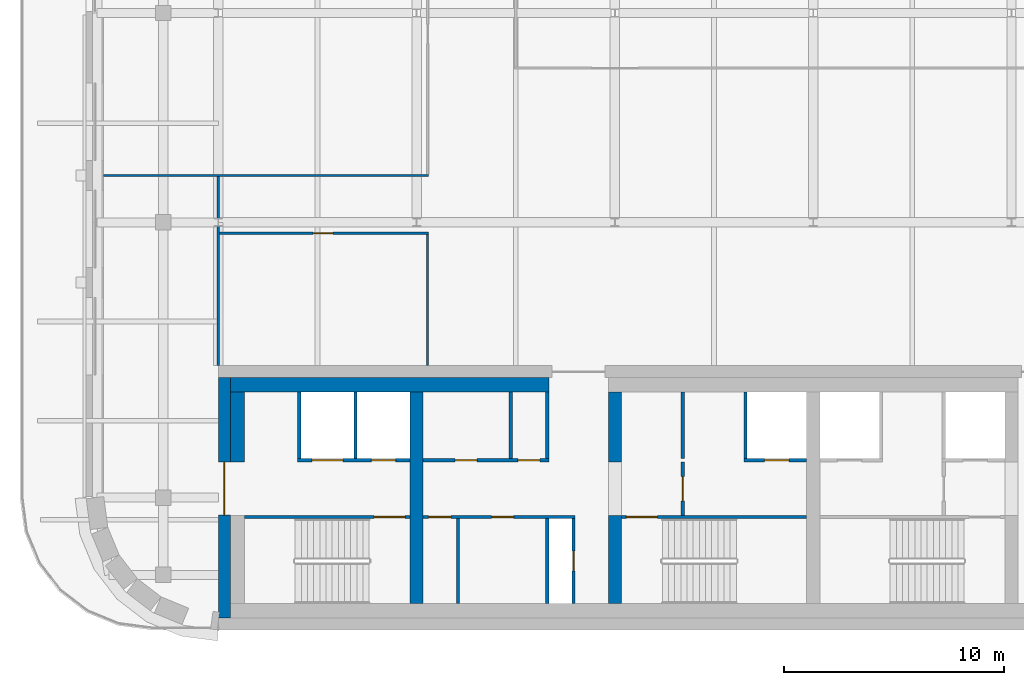
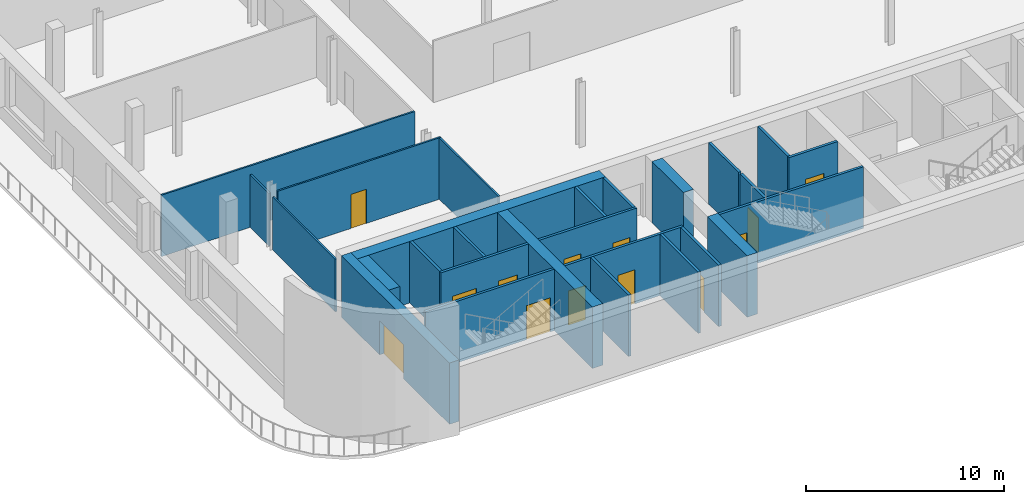
# One storey, part 7 of 15: 27 walls, 13 doors, 13 openings.
"""IFC4 building model written with IfcOpenShell, lengths in metres."""

from ifc_helpers import new_model, si_unit, direction, frame, frame_2d, origin, place, context, subcontext, project, spatial, rectangle, extrude, material, layer, layer_set, type_object, element, fill, save


model = new_model("IFC4")

# Units and contexts
model_context = context("Model", 3, precision=1e-05, world=origin(), true_north=direction((0.0, 1.0)))
body_context = subcontext(model_context, "Body", "Model", "MODEL_VIEW")
ifc_project = project(units=[si_unit("LENGTHUNIT", "METRE"), si_unit("AREAUNIT", "SQUARE_METRE"), si_unit("VOLUMEUNIT", "CUBIC_METRE"), si_unit("PLANEANGLEUNIT", "RADIAN"), si_unit("MASSUNIT", "GRAM", prefix="KILO")], contexts=[model_context])

# Site, building, storey
site_placement = place(None, origin())
site = spatial("IfcSite", under=ifc_project, at=site_placement, CompositionType="ELEMENT")
building_placement = place(site_placement, origin())
building = spatial("IfcBuilding", under=site, at=building_placement, Name="Zellij Exchange Tower", CompositionType="ELEMENT")
storey_placement = place(building_placement, frame((0.0, 0.0, 284.5)))
storey = spatial("IfcBuildingStorey", under=building, at=storey_placement, Name="L67", CompositionType="ELEMENT", Elevation=284.5)

# Walls
ifc_material_1 = material(Name="Concrete C50/60", Category="concrete")
ifc_layer_1 = layer(ifc_material_1, 0.60009765625)
ifc_layer_set_1 = layer_set([ifc_layer_1], Name="Concrete C50/60")
wall_type_1 = type_object("IfcWallType", Name="CORE-CW 600 C50/60", PredefinedType="SHEAR", material=ifc_layer_set_1)
wall_1_placement = place(storey_placement, frame((-18.0, -12.800048828125, 0.0), z_axis=(0.0, 0.0, 1.0), x_axis=(0.0, 1.0, 0.0)))
element("IfcWall", 1, at=wall_1_placement, inside=storey, type_object=wall_type_1, Name="Core cross wall x -18 L67", PredefinedType="SHEAR", context=body_context, shape_type="SweptSolid", body=[
    extrude(rectangle(XDim=9.60009765625, YDim=0.60009765625, at=frame_2d((4.800048828125, 0.0))), origin(), (0.0, 0.0, 1.0), 3.780029296875),
])
wall_2_placement = place(storey_placement, frame((-9.0, -12.800048828125, 0.0), z_axis=(0.0, 0.0, 1.0), x_axis=(0.0, 1.0, 0.0)))
element("IfcWall", 2, at=wall_2_placement, inside=storey, type_object=wall_type_1, Name="Core cross wall pier x -9 a L67", PredefinedType="SHEAR", context=body_context, shape_type="SweptSolid", body=[
    extrude(rectangle(XDim=4.0, YDim=0.60009765625, at=frame_2d((2.0, 0.0))), origin(), (0.0, 0.0, 1.0), 3.780029296875),
])
wall_3_placement = place(storey_placement, frame((-9.0, -6.375, 0.0), z_axis=(0.0, 0.0, 1.0), x_axis=(0.0, 1.0, 0.0)))
element("IfcWall", 3, at=wall_3_placement, inside=storey, type_object=wall_type_1, Name="Core cross wall pier x -9 b L67", PredefinedType="SHEAR", context=body_context, shape_type="SweptSolid", body=[
    extrude(rectangle(XDim=3.175048828125, YDim=0.60009765625, at=frame_2d((1.58740234375, 0.0))), origin(), (0.0, 0.0, 1.0), 3.780029296875),
])
ifc_material_2 = material(Name="Concrete C30/37", Category="concrete")
ifc_layer_2 = layer(ifc_material_2, 0.64990234375)
ifc_layer_set_2 = layer_set([ifc_layer_2], Name="Concrete C30/37")
wall_type_2 = type_object("IfcWallType", Name="CORE-LW 650 C30/37", PredefinedType="SHEAR", material=ifc_layer_set_2)
wall_4_placement = place(storey_placement, frame((-26.449951171875, -2.875, 0.0), z_axis=(0.0, 0.0, 1.0), x_axis=(1.0, 0.0, 0.0)))
element("IfcWall", 4, at=wall_4_placement, inside=storey, type_object=wall_type_2, Name="Core wall lining front.0 L67", PredefinedType="SHEAR", context=body_context, shape_type="SweptSolid", body=[
    extrude(rectangle(XDim=14.449951171875, YDim=0.64990234375, at=frame_2d((7.22509765625, 0.0))), origin(), (0.0, 0.0, 1.0), 3.780029296875),
])
wall_5_placement = place(storey_placement, frame((-26.125, -6.375, 0.0), z_axis=(0.0, 0.0, 1.0), x_axis=(0.0, 1.0, 0.0)))
element("IfcWall", 5, at=wall_5_placement, inside=storey, type_object=wall_type_2, Name="Core wall lining end w.1 L67", PredefinedType="SHEAR", context=body_context, shape_type="SweptSolid", body=[
    extrude(rectangle(XDim=3.175048828125, YDim=0.64990234375, at=frame_2d((1.58740234375, 0.0))), origin(), (0.0, 0.0, 1.0), 3.780029296875),
])

# Wall, opening, door
ifc_material_3 = material(Name="Gypsum shaft wall system")
ifc_layer_3 = layer(ifc_material_3, 0.14990234375)
ifc_layer_set_3 = layer_set([ifc_layer_3], Name="Gypsum shaft wall system")
wall_type_3 = type_object("IfcWallType", Name="CORE-PW 150 Firefighting lobby wall", PredefinedType="PARTITIONING", material=ifc_layer_set_3)
wall_6_placement = place(storey_placement, frame((-5.925048828125, -8.800048828125, 0.0), z_axis=(0.0, 0.0, 1.0), x_axis=(0.0, 1.0, 0.0)))
wall_6 = element("IfcWall", 6, at=wall_6_placement, inside=storey, type_object=wall_type_3, Name="Firefighting lobby wall L67", PredefinedType="PARTITIONING", context=body_context, shape_type="SweptSolid", body=[
    extrude(rectangle(XDim=2.425048828125, YDim=0.14990234375, at=frame_2d((1.21240234375, 0.0))), origin(), (0.0, 0.0, 1.0), 3.780029296875),
])
opening_1_placement = place(wall_6_placement, frame((0.662109375, 0.0, 0.0)))
opening_1 = element("IfcOpeningElement", 7, at=opening_1_placement, cuts=wall_6, Name="Opening CA-35.12", PredefinedType="OPENING", context=body_context, shape_type="SweptSolid", body=[
    extrude(rectangle(XDim=1.10009765625, YDim=2.10009765625, at=frame_2d((0.550048828125, 1.050048828125))), frame((0.0, 0.0869140625, 0.0), z_axis=(0.0, -1.0, 0.0), x_axis=(1.0, 0.0, 0.0)), (0.0, 0.0, 1.0), 0.173828125),
])
ifc_material_4 = material(Name="Hollow metal fire door")
door_type_1 = type_object("IfcDoorType", Name="CORE-D F Firefighting lobby door 1100x2100 1 HR", OperationType="NOTDEFINED", PredefinedType="DOOR", material=ifc_material_4)
door_1_placement = place(opening_1_placement, origin())
door_1 = element("IfcDoor", 8, at=door_1_placement, inside=storey, type_object=door_type_1, Name="Firefighting lobby door CA-35.12", OperationType="SINGLE_SWING_LEFT", OverallHeight=2.10009765625, OverallWidth=1.10009765625, PredefinedType="DOOR", context=body_context, shape_type="SweptSolid", body=[
    extrude(rectangle(XDim=1.10009765625, YDim=2.10009765625, at=frame_2d((0.550048828125, 1.050048828125))), frame((0.0, 0.02490234375, 0.0), z_axis=(0.0, -1.0, 0.0), x_axis=(1.0, 0.0, 0.0)), (0.0, 0.0, 1.0), 0.050048828125),
])
fill(opening_1, door_1)

# Walls
ifc_material_5 = material(Name="Gypsum board partition")
ifc_layer_4 = layer(ifc_material_5, 0.14990234375)
ifc_layer_set_4 = layer_set([ifc_layer_4], Name="Gypsum board partition")
wall_type_4 = type_object("IfcWallType", Name="CORE-PW 150 Lift lobby wall", PredefinedType="PARTITIONING", material=ifc_layer_set_4)
for number, where, z_axis, x_axis, name in (
    (9, (-12.074951171875, -6.22509765625, 0.0), (0.0, 0.0, 1.0), (0.0, 1.0, 0.0), "Lift lobby wall L67"),
    (10, (-13.72509765625, -6.22509765625, 0.0), (0.0, 0.0, 1.0), (0.0, 1.0, 0.0), "Lift lobby wall L67"),
    (11, (-5.925048828125, -6.22509765625, 0.0), (0.0, 0.0, 1.0), (0.0, 1.0, 0.0), "Lift lobby wall L67"),
):
    element("IfcWall", number, at=place(storey_placement, frame(where, z_axis=z_axis, x_axis=x_axis)), inside=storey, type_object=wall_type_4, Name=name, PredefinedType="PARTITIONING", context=body_context, shape_type="SweptSolid", body=[
        extrude(rectangle(XDim=3.025146484375, YDim=0.14990234375, at=frame_2d((1.5126953125, 0.0))), origin(), (0.0, 0.0, 1.0), 3.780029296875),
    ])

# Wall, opening, door
wall_7_placement = place(storey_placement, frame((-10.875, -12.800048828125, 0.0), z_axis=(0.0, 0.0, 1.0), x_axis=(0.0, 1.0, 0.0)))
wall_7 = element("IfcWall", 12, at=wall_7_placement, inside=storey, type_object=wall_type_4, Name="Lift lobby wall L67", PredefinedType="PARTITIONING", context=body_context, shape_type="SweptSolid", body=[
    extrude(rectangle(XDim=3.85009765625, YDim=0.14990234375, at=frame_2d((1.925048828125, 0.0))), origin(), (0.0, 0.0, 1.0), 3.780029296875),
])
opening_2_placement = place(wall_7_placement, frame((1.47509765625, 0.0, 0.0)))
opening_2 = element("IfcOpeningElement", 13, at=opening_2_placement, cuts=wall_7, Name="Opening CA-35.09", PredefinedType="OPENING", context=body_context, shape_type="SweptSolid", body=[
    extrude(rectangle(XDim=0.89990234375, YDim=2.10009765625, at=frame_2d((0.449951171875, 1.050048828125))), frame((0.0, 0.0869140625, 0.0), z_axis=(0.0, -1.0, 0.0), x_axis=(1.0, 0.0, 0.0)), (0.0, 0.0, 1.0), 0.173828125),
])
door_type_2 = type_object("IfcDoorType", Name="CORE-D RD Riser door 900x2100 1.5 HR", OperationType="NOTDEFINED", PredefinedType="DOOR", material=ifc_material_4)
door_2_placement = place(opening_2_placement, origin())
door_2 = element("IfcDoor", 14, at=door_2_placement, inside=storey, type_object=door_type_2, Name="Riser door CA-35.09", OperationType="SINGLE_SWING_RIGHT", OverallHeight=2.10009765625, OverallWidth=0.89990234375, PredefinedType="DOOR", context=body_context, shape_type="SweptSolid", body=[
    extrude(rectangle(XDim=0.89990234375, YDim=2.10009765625, at=frame_2d((0.449951171875, 1.050048828125))), frame((0.0, 0.02490234375, 0.0), z_axis=(0.0, -1.0, 0.0), x_axis=(1.0, 0.0, 0.0)), (0.0, 0.0, 1.0), 0.050048828125),
])
fill(opening_2, door_2)

# Walls
for number, where, z_axis, x_axis, name in (
    (15, (-12.074951171875, -12.800048828125, 0.0), (0.0, 0.0, 1.0), (0.0, 1.0, 0.0), "Lift lobby wall L67"),
    (16, (-16.125, -12.800048828125, 0.0), (0.0, 0.0, 1.0), (0.0, 1.0, 0.0), "Lift lobby wall L67"),
):
    element("IfcWall", number, at=place(storey_placement, frame(where, z_axis=z_axis, x_axis=x_axis)), inside=storey, type_object=wall_type_4, Name=name, PredefinedType="PARTITIONING", context=body_context, shape_type="SweptSolid", body=[
        extrude(rectangle(XDim=3.85009765625, YDim=0.14990234375, at=frame_2d((1.925048828125, 0.0))), origin(), (0.0, 0.0, 1.0), 3.780029296875),
    ])

# Wall, openings, doors
wall_8_placement = place(storey_placement, frame((-17.699951171875, -6.300048828125, 0.0), z_axis=(0.0, 0.0, 1.0), x_axis=(1.0, 0.0, 0.0)))
wall_8 = element("IfcWall", 17, at=wall_8_placement, inside=storey, type_object=wall_type_4, Name="Lift lobby wall L67", PredefinedType="PARTITIONING", context=body_context, shape_type="SweptSolid", body=[
    extrude(rectangle(XDim=5.699951171875, YDim=0.14990234375, at=frame_2d((2.85009765625, 0.0))), origin(), (0.0, 0.0, 1.0), 3.780029296875),
])
opening_3_placement = place(wall_8_placement, frame((1.449951171875, 0.0, 0.0)))
opening_3 = element("IfcOpeningElement", 18, at=opening_3_placement, cuts=wall_8, Name="Opening CA-35.06", PredefinedType="OPENING", context=body_context, shape_type="SweptSolid", body=[
    extrude(rectangle(XDim=1.0, YDim=2.10009765625, at=frame_2d((0.5, 1.050048828125))), frame((0.0, 0.0869140625, 0.0), z_axis=(0.0, -1.0, 0.0), x_axis=(1.0, 0.0, 0.0)), (0.0, 0.0, 1.0), 0.173828125),
])
opening_4_placement = place(wall_8_placement, frame((4.300048828125, 0.0, 0.0)))
opening_4 = element("IfcOpeningElement", 19, at=opening_4_placement, cuts=wall_8, Name="Opening CA-35.08", PredefinedType="OPENING", context=body_context, shape_type="SweptSolid", body=[
    extrude(rectangle(XDim=1.0, YDim=2.10009765625, at=frame_2d((0.5, 1.050048828125))), frame((0.0, 0.0869140625, 0.0), z_axis=(0.0, -1.0, 0.0), x_axis=(1.0, 0.0, 0.0)), (0.0, 0.0, 1.0), 0.173828125),
])
door_type_3 = type_object("IfcDoorType", Name="CORE-D CD Core room door 1000x2100 1 HR", OperationType="NOTDEFINED", PredefinedType="DOOR", material=ifc_material_4)
door_3_placement = place(opening_3_placement, origin())
door_3 = element("IfcDoor", 20, at=door_3_placement, inside=storey, type_object=door_type_3, Name="Core room door CA-35.06", OperationType="SINGLE_SWING_LEFT", OverallHeight=2.10009765625, OverallWidth=1.0, PredefinedType="DOOR", context=body_context, shape_type="SweptSolid", body=[
    extrude(rectangle(XDim=1.0, YDim=2.10009765625, at=frame_2d((0.5, 1.050048828125))), frame((0.0, 0.02490234375, 0.0), z_axis=(0.0, -1.0, 0.0), x_axis=(1.0, 0.0, 0.0)), (0.0, 0.0, 1.0), 0.050048828125),
])
fill(opening_3, door_3)
door_4_placement = place(opening_4_placement, origin())
door_4 = element("IfcDoor", 21, at=door_4_placement, inside=storey, type_object=door_type_3, Name="Core room door CA-35.08", OperationType="SINGLE_SWING_RIGHT", OverallHeight=2.10009765625, OverallWidth=1.0, PredefinedType="DOOR", context=body_context, shape_type="SweptSolid", body=[
    extrude(rectangle(XDim=1.0, YDim=2.10009765625, at=frame_2d((0.5, 1.050048828125))), frame((0.0, 0.02490234375, 0.0), z_axis=(0.0, -1.0, 0.0), x_axis=(1.0, 0.0, 0.0)), (0.0, 0.0, 1.0), 0.050048828125),
])
fill(opening_4, door_4)

wall_9_placement = place(storey_placement, frame((-17.699951171875, -8.875, 0.0), z_axis=(0.0, 0.0, 1.0), x_axis=(1.0, 0.0, 0.0)))
wall_9 = element("IfcWall", 22, at=wall_9_placement, inside=storey, type_object=wall_type_4, Name="Lift lobby wall L67", PredefinedType="PARTITIONING", context=body_context, shape_type="SweptSolid", body=[
    extrude(rectangle(XDim=6.89990234375, YDim=0.14990234375, at=frame_2d((3.449951171875, 0.0))), origin(), (0.0, 0.0, 1.0), 3.780029296875),
])
opening_5_placement = place(wall_9_placement, frame((0.25, 0.0, 0.0)))
opening_5 = element("IfcOpeningElement", 23, at=opening_5_placement, cuts=wall_9, Name="Opening CA-35.05", PredefinedType="OPENING", context=body_context, shape_type="SweptSolid", body=[
    extrude(rectangle(XDim=1.0, YDim=2.10009765625, at=frame_2d((0.5, 1.050048828125))), frame((0.0, 0.0869140625, 0.0), z_axis=(0.0, -1.0, 0.0), x_axis=(1.0, 0.0, 0.0)), (0.0, 0.0, 1.0), 0.173828125),
])
opening_6_placement = place(wall_9_placement, frame((3.10009765625, 0.0, 0.0)))
opening_6 = element("IfcOpeningElement", 24, at=opening_6_placement, cuts=wall_9, Name="Opening CA-35.07", PredefinedType="OPENING", context=body_context, shape_type="SweptSolid", body=[
    extrude(rectangle(XDim=1.0, YDim=2.10009765625, at=frame_2d((0.5, 1.050048828125))), frame((0.0, 0.0869140625, 0.0), z_axis=(0.0, -1.0, 0.0), x_axis=(1.0, 0.0, 0.0)), (0.0, 0.0, 1.0), 0.173828125),
])
door_5_placement = place(opening_5_placement, origin())
door_5 = element("IfcDoor", 25, at=door_5_placement, inside=storey, type_object=door_type_3, Name="Core room door CA-35.05", OperationType="SINGLE_SWING_RIGHT", OverallHeight=2.10009765625, OverallWidth=1.0, PredefinedType="DOOR", context=body_context, shape_type="SweptSolid", body=[
    extrude(rectangle(XDim=1.0, YDim=2.10009765625, at=frame_2d((0.5, 1.050048828125))), frame((0.0, 0.02490234375, 0.0), z_axis=(0.0, -1.0, 0.0), x_axis=(1.0, 0.0, 0.0)), (0.0, 0.0, 1.0), 0.050048828125),
])
fill(opening_5, door_5)
door_6_placement = place(opening_6_placement, origin())
door_6 = element("IfcDoor", 26, at=door_6_placement, inside=storey, type_object=door_type_3, Name="Core room door CA-35.07", OperationType="SINGLE_SWING_LEFT", OverallHeight=2.10009765625, OverallWidth=1.0, PredefinedType="DOOR", context=body_context, shape_type="SweptSolid", body=[
    extrude(rectangle(XDim=1.0, YDim=2.10009765625, at=frame_2d((0.5, 1.050048828125))), frame((0.0, 0.02490234375, 0.0), z_axis=(0.0, -1.0, 0.0), x_axis=(1.0, 0.0, 0.0)), (0.0, 0.0, 1.0), 0.050048828125),
])
fill(opening_6, door_6)

# Walls
ifc_layer_5 = layer(ifc_material_3, 0.14990234375)
ifc_layer_set_5 = layer_set([ifc_layer_5], Name="Gypsum shaft wall system")
wall_type_5 = type_object("IfcWallType", Name="CORE-PW 150 Lift shaft wall", PredefinedType="PARTITIONING", material=ifc_layer_set_5)
for number, where, z_axis, x_axis, name in (
    (27, (-20.77490234375, -6.22509765625, 0.0), (0.0, 0.0, 1.0), (0.0, 1.0, 0.0), "Lift shaft wall L67"),
    (28, (-23.324951171875, -6.22509765625, 0.0), (0.0, 0.0, 1.0), (0.0, 1.0, 0.0), "Lift shaft wall L67"),
    (29, (-3.074951171875, -6.22509765625, 0.0), (0.0, 0.0, 1.0), (0.0, 1.0, 0.0), "Lift shaft wall L67"),
):
    element("IfcWall", number, at=place(storey_placement, frame(where, z_axis=z_axis, x_axis=x_axis)), inside=storey, type_object=wall_type_5, Name=name, PredefinedType="PARTITIONING", context=body_context, shape_type="SweptSolid", body=[
        extrude(rectangle(XDim=3.025146484375, YDim=0.14990234375, at=frame_2d((1.5126953125, 0.0))), origin(), (0.0, 0.0, 1.0), 3.780029296875),
    ])

# Wall, openings, doors
wall_10_placement = place(storey_placement, frame((-23.39990234375, -6.300048828125, 0.0), z_axis=(0.0, 0.0, 1.0), x_axis=(1.0, 0.0, 0.0)))
wall_10 = element("IfcWall", 30, at=wall_10_placement, inside=storey, type_object=wall_type_5, Name="Lift shaft wall L67", PredefinedType="PARTITIONING", context=body_context, shape_type="SweptSolid", body=[
    extrude(rectangle(XDim=5.099853515625, YDim=0.14990234375, at=frame_2d((2.5498046875, 0.0))), origin(), (0.0, 0.0, 1.0), 3.780029296875),
])
opening_7_placement = place(wall_10_placement, frame((0.64990234375, 0.0, 0.0)))
opening_7 = element("IfcOpeningElement", 31, at=opening_7_placement, cuts=wall_10, Name="Opening CA-35.02", PredefinedType="OPENING", context=body_context, shape_type="SweptSolid", body=[
    extrude(rectangle(XDim=1.39990234375, YDim=2.10009765625, at=frame_2d((0.699951171875, 1.050048828125))), frame((0.0, 0.0869140625, 0.0), z_axis=(0.0, -1.0, 0.0), x_axis=(1.0, 0.0, 0.0)), (0.0, 0.0, 1.0), 0.173828125),
])
opening_8_placement = place(wall_10_placement, frame((3.35009765625, 0.0, 0.0)))
opening_8 = element("IfcOpeningElement", 32, at=opening_8_placement, cuts=wall_10, Name="Opening CA-35.03", PredefinedType="OPENING", context=body_context, shape_type="SweptSolid", body=[
    extrude(rectangle(XDim=1.10009765625, YDim=2.10009765625, at=frame_2d((0.550048828125, 1.050048828125))), frame((0.0, 0.0869140625, 0.0), z_axis=(0.0, -1.0, 0.0), x_axis=(1.0, 0.0, 0.0)), (0.0, 0.0, 1.0), 0.173828125),
])
door_type_4 = type_object("IfcDoorType", Name="CORE-D LD Lift landing door 1100x2100 1.5 HR", OperationType="NOTDEFINED", PredefinedType="DOOR", material=ifc_material_4)
door_7_placement = place(opening_8_placement, origin())
door_7 = element("IfcDoor", 33, at=door_7_placement, inside=storey, type_object=door_type_4, Name="Lift landing door CA-35.03", OperationType="SLIDING_TO_LEFT", OverallHeight=2.10009765625, OverallWidth=1.10009765625, PredefinedType="DOOR", context=body_context, shape_type="SweptSolid", body=[
    extrude(rectangle(XDim=1.10009765625, YDim=2.10009765625, at=frame_2d((0.550048828125, 1.050048828125))), frame((0.0, 0.02490234375, 0.0), z_axis=(0.0, -1.0, 0.0), x_axis=(1.0, 0.0, 0.0)), (0.0, 0.0, 1.0), 0.050048828125),
])
fill(opening_8, door_7)
door_type_5 = type_object("IfcDoorType", Name="CORE-D LD2 Service lift landing door 1400x2100 1.5 HR", OperationType="NOTDEFINED", PredefinedType="DOOR", material=ifc_material_4)
door_8_placement = place(opening_7_placement, origin())
door_8 = element("IfcDoor", 34, at=door_8_placement, inside=storey, type_object=door_type_5, Name="Service lift landing door CA-35.02", OperationType="SLIDING_TO_RIGHT", OverallHeight=2.10009765625, OverallWidth=1.39990234375, PredefinedType="DOOR", context=body_context, shape_type="SweptSolid", body=[
    extrude(rectangle(XDim=1.39990234375, YDim=2.10009765625, at=frame_2d((0.699951171875, 1.050048828125))), frame((0.0, 0.02490234375, 0.0), z_axis=(0.0, -1.0, 0.0), x_axis=(1.0, 0.0, 0.0)), (0.0, 0.0, 1.0), 0.050048828125),
])
fill(opening_7, door_8)

# Wall, opening, door
wall_11_placement = place(storey_placement, frame((-3.14990234375, -6.300048828125, 0.0), z_axis=(0.0, 0.0, 1.0), x_axis=(1.0, 0.0, 0.0)))
wall_11 = element("IfcWall", 35, at=wall_11_placement, inside=storey, type_object=wall_type_5, Name="Lift shaft wall L67", PredefinedType="PARTITIONING", context=body_context, shape_type="SweptSolid", body=[
    extrude(rectangle(XDim=2.849853515625, YDim=0.14990234375, at=frame_2d((1.4248046875, 0.0))), origin(), (0.0, 0.0, 1.0), 3.780029296875),
])
opening_9_placement = place(wall_11_placement, frame((0.949951171875, 0.0, 0.0)))
opening_9 = element("IfcOpeningElement", 36, at=opening_9_placement, cuts=wall_11, Name="Opening CA-35.13", PredefinedType="OPENING", context=body_context, shape_type="SweptSolid", body=[
    extrude(rectangle(XDim=1.10009765625, YDim=2.10009765625, at=frame_2d((0.550048828125, 1.050048828125))), frame((0.0, 0.0869140625, 0.0), z_axis=(0.0, -1.0, 0.0), x_axis=(1.0, 0.0, 0.0)), (0.0, 0.0, 1.0), 0.173828125),
])
door_9_placement = place(opening_9_placement, origin())
door_9 = element("IfcDoor", 37, at=door_9_placement, inside=storey, type_object=door_type_4, Name="Lift landing door CA-35.13", OperationType="SLIDING_TO_LEFT", OverallHeight=2.10009765625, OverallWidth=1.10009765625, PredefinedType="DOOR", context=body_context, shape_type="SweptSolid", body=[
    extrude(rectangle(XDim=1.10009765625, YDim=2.10009765625, at=frame_2d((0.550048828125, 1.050048828125))), frame((0.0, 0.02490234375, 0.0), z_axis=(0.0, -1.0, 0.0), x_axis=(1.0, 0.0, 0.0)), (0.0, 0.0, 1.0), 0.050048828125),
])
fill(opening_9, door_9)

ifc_layer_6 = layer(ifc_material_1, 0.550048828125)
ifc_layer_set_6 = layer_set([ifc_layer_6], Name="Concrete C50/60")
wall_type_6 = type_object("IfcWallType", Name="CORE-SW 550 C50/60", PredefinedType="SHEAR", material=ifc_layer_set_6)
wall_12_placement = place(storey_placement, frame((-26.72509765625, -13.449951171875, 0.0), z_axis=(0.0, 0.0, 1.0), x_axis=(0.0, 1.0, 0.0)))
wall_12 = element("IfcWall", 38, at=wall_12_placement, inside=storey, type_object=wall_type_6, Name="Core shear wall end w L67", PredefinedType="SHEAR", context=body_context, shape_type="SweptSolid", body=[
    extrude(rectangle(XDim=10.89990234375, YDim=0.550048828125, at=frame_2d((5.449951171875, 0.0))), origin(), (0.0, 0.0, 1.0), 3.780029296875),
])
opening_10_placement = place(wall_12_placement, frame((4.662109375, 0.0, 0.0)))
opening_10 = element("IfcOpeningElement", 39, at=opening_10_placement, cuts=wall_12, Name="Opening CA-35.01", PredefinedType="OPENING", context=body_context, shape_type="SweptSolid", body=[
    extrude(rectangle(XDim=2.39990234375, YDim=2.10009765625, at=frame_2d((1.199951171875, 1.050048828125))), frame((0.0, 0.287109375, 0.0), z_axis=(0.0, -1.0, 0.0), x_axis=(1.0, 0.0, 0.0)), (0.0, 0.0, 1.0), 0.573974609375),
])
door_type_6 = type_object("IfcDoorType", Name="CORE-D CE Core entrance door 2400x2100 20 MIN", OperationType="NOTDEFINED", PredefinedType="DOOR", material=ifc_material_4)
door_10_placement = place(opening_10_placement, origin())
door_10 = element("IfcDoor", 40, at=door_10_placement, inside=storey, type_object=door_type_6, Name="Core entrance door CA-35.01", OperationType="DOUBLE_DOOR_SINGLE_SWING", OverallHeight=2.10009765625, OverallWidth=2.39990234375, PredefinedType="DOOR", context=body_context, shape_type="SweptSolid", body=[
    extrude(rectangle(XDim=2.39990234375, YDim=2.10009765625, at=frame_2d((1.199951171875, 1.050048828125))), frame((0.0, 0.02490234375, 0.0), z_axis=(0.0, -1.0, 0.0), x_axis=(1.0, 0.0, 0.0)), (0.0, 0.0, 1.0), 0.050048828125),
])
fill(opening_10, door_10)

ifc_layer_7 = layer(ifc_material_1, 0.14990234375)
ifc_layer_set_7 = layer_set([ifc_layer_7], Name="Concrete C50/60")
wall_type_7 = type_object("IfcWallType", Name="CORE-SWS 150 C50/60", PredefinedType="SHEAR", material=ifc_layer_set_7)
wall_13_placement = place(storey_placement, frame((-25.800048828125, -8.875, 0.0), z_axis=(0.0, 0.0, 1.0), x_axis=(1.0, 0.0, 0.0)))
wall_13 = element("IfcWall", 41, at=wall_13_placement, inside=storey, type_object=wall_type_7, Name="Stair enclosure wall L67", PredefinedType="SHEAR", context=body_context, shape_type="SweptSolid", body=[
    extrude(rectangle(XDim=7.5, YDim=0.14990234375, at=frame_2d((3.75, 0.0))), origin(), (0.0, 0.0, 1.0), 3.780029296875),
])
opening_11_placement = place(wall_13_placement, frame((5.875, 0.0, 0.0)))
opening_11 = element("IfcOpeningElement", 42, at=opening_11_placement, cuts=wall_13, Name="Opening CA-35.04", PredefinedType="OPENING", context=body_context, shape_type="SweptSolid", body=[
    extrude(rectangle(XDim=1.39990234375, YDim=2.10009765625, at=frame_2d((0.699951171875, 1.050048828125))), frame((0.0, 0.0869140625, 0.0), z_axis=(0.0, -1.0, 0.0), x_axis=(1.0, 0.0, 0.0)), (0.0, 0.0, 1.0), 0.173828125),
])
door_type_7 = type_object("IfcDoorType", Name="CORE-D SD Stair door 1400x2100 1.5 HR", OperationType="NOTDEFINED", PredefinedType="DOOR", material=ifc_material_4)
door_11_placement = place(opening_11_placement, origin())
door_11 = element("IfcDoor", 43, at=door_11_placement, inside=storey, type_object=door_type_7, Name="Stair door CA-35.04", OperationType="DOUBLE_DOOR_SINGLE_SWING", OverallHeight=2.10009765625, OverallWidth=1.39990234375, PredefinedType="DOOR", context=body_context, shape_type="SweptSolid", body=[
    extrude(rectangle(XDim=1.39990234375, YDim=2.10009765625, at=frame_2d((0.699951171875, 1.050048828125))), frame((0.0, 0.02490234375, 0.0), z_axis=(0.0, -1.0, 0.0), x_axis=(1.0, 0.0, 0.0)), (0.0, 0.0, 1.0), 0.050048828125),
])
fill(opening_11, door_11)

wall_14_placement = place(storey_placement, frame((-8.699951171875, -8.875, 0.0), z_axis=(0.0, 0.0, 1.0), x_axis=(1.0, 0.0, 0.0)))
wall_14 = element("IfcWall", 44, at=wall_14_placement, inside=storey, type_object=wall_type_7, Name="Stair enclosure wall L67", PredefinedType="SHEAR", context=body_context, shape_type="SweptSolid", body=[
    extrude(rectangle(XDim=8.39990234375, YDim=0.14990234375, at=frame_2d((4.199951171875, 0.0))), origin(), (0.0, 0.0, 1.0), 3.780029296875),
])
opening_12_placement = place(wall_14_placement, frame((0.22509765625, 0.0, 0.0)))
opening_12 = element("IfcOpeningElement", 45, at=opening_12_placement, cuts=wall_14, Name="Opening CA-35.11", PredefinedType="OPENING", context=body_context, shape_type="SweptSolid", body=[
    extrude(rectangle(XDim=1.39990234375, YDim=2.10009765625, at=frame_2d((0.699951171875, 1.050048828125))), frame((0.0, 0.0869140625, 0.0), z_axis=(0.0, -1.0, 0.0), x_axis=(1.0, 0.0, 0.0)), (0.0, 0.0, 1.0), 0.173828125),
])
door_12_placement = place(opening_12_placement, origin())
door_12 = element("IfcDoor", 46, at=door_12_placement, inside=storey, type_object=door_type_7, Name="Stair door CA-35.11", OperationType="DOUBLE_DOOR_SINGLE_SWING", OverallHeight=2.10009765625, OverallWidth=1.39990234375, PredefinedType="DOOR", context=body_context, shape_type="SweptSolid", body=[
    extrude(rectangle(XDim=1.39990234375, YDim=2.10009765625, at=frame_2d((0.699951171875, 1.050048828125))), frame((0.0, 0.02490234375, 0.0), z_axis=(0.0, -1.0, 0.0), x_axis=(1.0, 0.0, 0.0)), (0.0, 0.0, 1.0), 0.050048828125),
])
fill(opening_12, door_12)

# Walls
ifc_material_6 = material(Name="Gypsum board partition on steel studs", Category="steel")
ifc_layer_8 = layer(ifc_material_6, 0.10009765625)
ifc_layer_set_8 = layer_set([ifc_layer_8], Name="Gypsum board partition on steel studs")
wall_type_8 = type_object("IfcWallType", Name="FIT-PARTITION-100", PredefinedType="PARTITIONING", material=ifc_layer_set_8)
wall_15_placement = place(storey_placement, frame((-27.0, -2.0, 0.0), z_axis=(0.0, 0.0, 1.0), x_axis=(0.0, 1.0, 0.0)))
element("IfcWall", 47, at=wall_15_placement, inside=storey, type_object=wall_type_8, Name="FIT-PARTITION-100 001", PredefinedType="PARTITIONING", context=body_context, shape_type="SweptSolid", body=[
    extrude(rectangle(XDim=6.322265625, YDim=0.10009765625, at=frame_2d((3.1611328125, 0.0))), origin(), (0.0, 0.0, 1.0), 3.24658203125),
])
wall_16_placement = place(storey_placement, frame((-27.0, 4.677734375, 0.0), z_axis=(0.0, 0.0, 1.0), x_axis=(0.0, 1.0, 0.0)))
element("IfcWall", 48, at=wall_16_placement, inside=storey, type_object=wall_type_8, Name="FIT-PARTITION-100 002", PredefinedType="PARTITIONING", context=body_context, shape_type="SweptSolid", body=[
    extrude(rectangle(XDim=1.90234375, YDim=0.10009765625, at=frame_2d((0.951171875, 0.0))), origin(), (0.0, 0.0, 1.0), 3.24658203125),
])
wall_17_placement = place(storey_placement, frame((-17.5, -2.0, 0.0), z_axis=(0.0, 0.0, 1.0), x_axis=(0.0, 1.0, 0.0)))
element("IfcWall", 49, at=wall_17_placement, inside=storey, type_object=wall_type_8, Name="FIT-PARTITION-100 003", PredefinedType="PARTITIONING", context=body_context, shape_type="SweptSolid", body=[
    extrude(rectangle(XDim=5.949951171875, YDim=0.10009765625, at=frame_2d((2.97509765625, 0.0))), origin(), (0.0, 0.0, 1.0), 3.780029296875),
])

# Wall, opening, door
wall_18_placement = place(storey_placement, frame((-26.949951171875, 4.0, 0.0), z_axis=(0.0, 0.0, 1.0), x_axis=(1.0, 0.0, 0.0)))
wall_18 = element("IfcWall", 50, at=wall_18_placement, inside=storey, type_object=wall_type_8, Name="FIT-PARTITION-100 008", PredefinedType="PARTITIONING", context=body_context, shape_type="SweptSolid", body=[
    extrude(rectangle(XDim=9.5, YDim=0.10009765625, at=frame_2d((4.75, 0.0))), origin(), (0.0, 0.0, 1.0), 3.780029296875),
])
opening_13_placement = place(wall_18_placement, frame((4.25, 0.0, 0.0)))
opening_13 = element("IfcOpeningElement", 51, at=opening_13_placement, cuts=wall_18, Name="Opening EX4.04", PredefinedType="OPENING", context=body_context, shape_type="SweptSolid", body=[
    extrude(rectangle(XDim=0.89990234375, YDim=2.10009765625, at=frame_2d((0.449951171875, 1.050048828125))), frame((0.0, 0.06201171875, 0.0), z_axis=(0.0, -1.0, 0.0), x_axis=(1.0, 0.0, 0.0)), (0.0, 0.0, 1.0), 0.1240234375),
])
ifc_material_7 = material(Name="Timber door set", Category="wood")
door_type_8 = type_object("IfcDoorType", Name="FIT-D1-ROOM-900X2100", OperationType="SINGLE_SWING_LEFT", PredefinedType="DOOR", material=ifc_material_7)
door_13_placement = place(opening_13_placement, origin())
door_13 = element("IfcDoor", 52, at=door_13_placement, inside=storey, type_object=door_type_8, Name="Door EX4.04", OperationType="SINGLE_SWING_RIGHT", OverallHeight=2.10009765625, OverallWidth=0.89990234375, PredefinedType="DOOR", context=body_context, shape_type="SweptSolid", body=[
    extrude(rectangle(XDim=0.89990234375, YDim=2.10009765625, at=frame_2d((0.449951171875, 1.050048828125))), frame((0.0, 0.02490234375, 0.0), z_axis=(0.0, -1.0, 0.0), x_axis=(1.0, 0.0, 0.0)), (0.0, 0.0, 1.0), 0.050048828125),
])
fill(opening_13, door_13)

# Wall
wall_19_placement = place(storey_placement, frame((-32.199951171875, 6.6298828125, 0.0), z_axis=(0.0, 0.0, 1.0), x_axis=(1.0, 0.0, 0.0)))
element("IfcWall", 53, at=wall_19_placement, inside=storey, type_object=wall_type_8, Name="FIT-PARTITION-100 010", PredefinedType="PARTITIONING", context=body_context, shape_type="SweptSolid", body=[
    extrude(rectangle(XDim=14.75, YDim=0.10009765625, at=frame_2d((7.375, 0.0))), origin(), (0.0, 0.0, 1.0), 3.780029296875),
])

save(model, "model.ifc")
